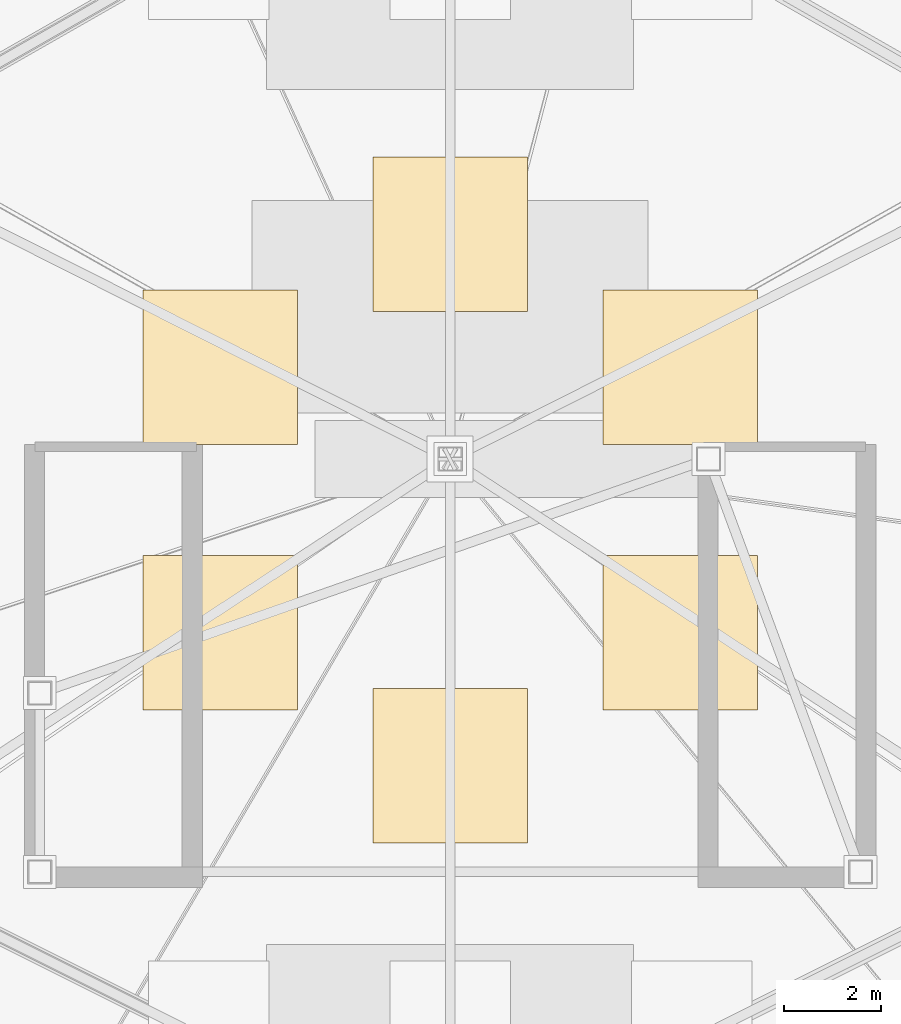
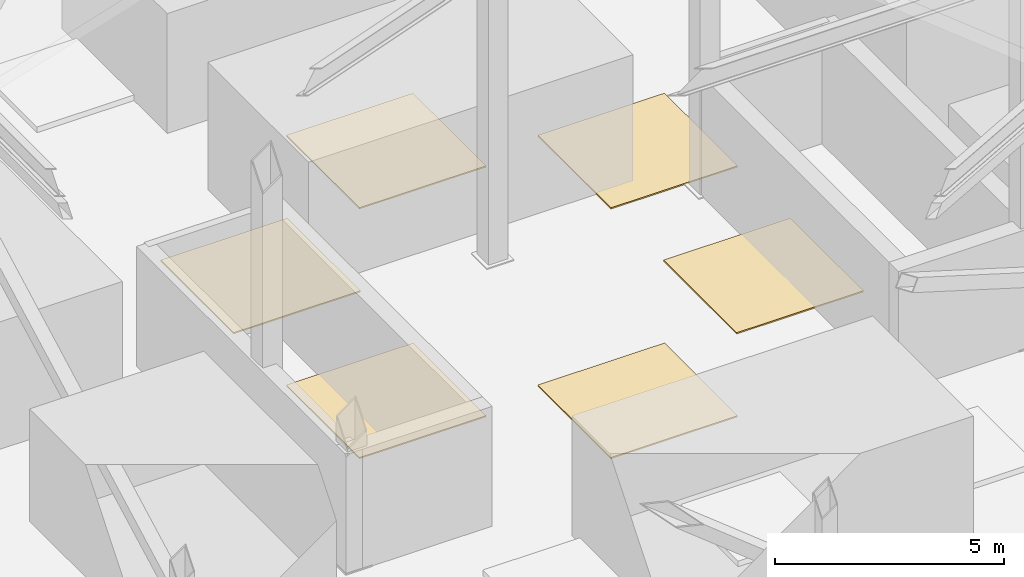
# One storey, part 5 of 6: 6 coverings.
"""IFC4 building model written with IfcOpenShell, lengths in metres."""

import ifcopenshell
import ifcopenshell.guid

model = None  # the IFC model being written
_history = None  # IfcOwnerHistory: only IFC2X3 demands one
_inside = {}  # id of a spatial element -> (the spatial element, [elements in it])
_under = {}  # id of a project, library or spatial element -> (it, [spatial elements below it])
_declared = {}  # id of a project -> (the project, [libraries it declares])
_typed = {}  # id of a type object -> (the type object, [elements of that type])
_made_of = {}  # id of a material, layer set ... -> (it, [elements and type objects made of it])


def new_model(schema):
    """Start an empty IFC model of exactly this schema.

    Asked for "IFC4X3", IfcOpenShell would pick the latest addendum, in which some entities
    have other attributes; the version numbers below select the first issue.
    IFC2X3 requires an IfcOwnerHistory on every rooted entity: one is made here for all.
    """
    global model, _history
    if schema == "IFC4X3":
        model = ifcopenshell.file(schema_version=(4, 3, 0, 0))
    else:
        model = ifcopenshell.file(schema=schema)
    _inside.clear()
    _under.clear()
    _declared.clear()
    _typed.clear()
    _made_of.clear()
    _history = None
    if model.schema == "IFC2X3":
        org = make("IfcOrganization", Name="unknown")
        user = make(
            "IfcPersonAndOrganization",
            ThePerson=make("IfcPerson", FamilyName="unknown"),
            TheOrganization=org,
        )
        app = make(
            "IfcApplication",
            ApplicationDeveloper=org,
            Version="unknown",
            ApplicationFullName="unknown",
            ApplicationIdentifier="unknown",
        )
        _history = make(
            "IfcOwnerHistory",
            OwningUser=user,
            OwningApplication=app,
            ChangeAction="ADDED",
            CreationDate=0,
        )
    return model


def make(cls, **values):
    """One entity of the class cls with the attributes given. An attribute that is None is left unset."""
    return model.create_entity(
        cls, **{name: value for name, value in values.items() if value is not None}
    )


def rooted(cls, **values):
    """An entity with a GlobalId (a new one), such as an element, a storey or a relation."""
    return make(cls, GlobalId=ifcopenshell.guid.new(), OwnerHistory=_history, **values)


def si_unit(unit_type, name, prefix=None):
    """IfcSIUnit, for example si_unit("LENGTHUNIT", "METRE", prefix="MILLI")."""
    return make("IfcSIUnit", UnitType=unit_type, Prefix=prefix, Name=name)


def assignment(units):
    """IfcUnitAssignment: the units of a project."""
    return None if units is None else make("IfcUnitAssignment", Units=units)


def point(xyz):
    """IfcCartesianPoint."""
    return None if xyz is None else make("IfcCartesianPoint", Coordinates=xyz)


def direction(xyz):
    """IfcDirection."""
    return None if xyz is None else make("IfcDirection", DirectionRatios=xyz)


def frame(location, z_axis=None, x_axis=None):
    """IfcAxis2Placement3D, a coordinate frame: its origin and axes. An axis left out is left unset."""
    return make(
        "IfcAxis2Placement3D",
        Location=point(location),
        Axis=direction(z_axis),
        RefDirection=direction(x_axis),
    )


def origin():
    """The frame at (0, 0, 0) with its axes left unset."""
    return frame((0.0, 0.0, 0.0))


def place(relative_to, where):
    """IfcLocalPlacement: puts the frame where relative to a parent placement (None: the world)."""
    return make(
        "IfcLocalPlacement", PlacementRelTo=relative_to, RelativePlacement=where
    )


def context(
    kind, dimensions, precision=None, world=None, true_north=None, identifier=None
):
    """IfcGeometricRepresentationContext, for example the 3D "Model" context."""
    return make(
        "IfcGeometricRepresentationContext",
        ContextIdentifier=identifier,
        ContextType=kind,
        CoordinateSpaceDimension=dimensions,
        Precision=precision,
        WorldCoordinateSystem=world,
        TrueNorth=true_north,
    )


def subcontext(parent, identifier, kind, view, scale=None):
    """IfcGeometricRepresentationSubContext, for example "Body" below "Model"."""
    return make(
        "IfcGeometricRepresentationSubContext",
        ContextIdentifier=identifier,
        ContextType=kind,
        ParentContext=parent,
        TargetScale=scale,
        TargetView=view,
    )


def project(units=None, contexts=None):
    """IfcProject with its units and contexts."""
    return rooted(
        "IfcProject",
        Name="project",
        RepresentationContexts=contexts,
        UnitsInContext=assignment(units),
    )


def spatial(cls, under=None, at=None, **own):
    """A site, building, storey or space (cls), placed at a placement, below another one or the project."""
    s = rooted(cls, ObjectPlacement=at, **own)
    if under is not None:
        _under.setdefault(under.id(), (under, []))[1].append(s)
    return s


def polyline(points):
    """IfcPolyline through the points."""
    return make("IfcPolyline", Points=[point(p) for p in points])


def outline(outer, holes=None, kind="AREA"):
    """IfcArbitraryClosedProfileDef: a profile drawn as a closed curve; with holes, ...WithVoids."""
    if holes is None:
        return make("IfcArbitraryClosedProfileDef", ProfileType=kind, OuterCurve=outer)
    return make(
        "IfcArbitraryProfileDefWithVoids",
        ProfileType=kind,
        OuterCurve=outer,
        InnerCurves=holes,
    )


def extrude(swept, where, along, depth):
    """IfcExtrudedAreaSolid: the profile swept, set in the frame where, extruded along a direction by depth."""
    return make(
        "IfcExtrudedAreaSolid",
        SweptArea=swept,
        Position=where,
        ExtrudedDirection=direction(along),
        Depth=depth,
    )


def shape(context_of_items, identifier, shape_type, items):
    """IfcShapeRepresentation: the items that make up one representation, for example the "Body"."""
    return make(
        "IfcShapeRepresentation",
        ContextOfItems=context_of_items,
        RepresentationIdentifier=identifier,
        RepresentationType=shape_type,
        Items=items,
    )


def material(Name=None, Category=None):
    """IfcMaterial."""
    return make("IfcMaterial", Name=Name, Category=Category)


def layer(
    of_material, thickness, ventilated=None, Name=None, Category=None, Priority=None
):
    """IfcMaterialLayer: one layer of a wall or slab, of a material (None: an air gap)."""
    return make(
        "IfcMaterialLayer",
        Material=of_material,
        LayerThickness=thickness,
        IsVentilated=ventilated,
        Name=Name,
        Category=Category,
        Priority=Priority,
    )


def layer_set(layers, Name=None):
    """IfcMaterialLayerSet."""
    return make("IfcMaterialLayerSet", MaterialLayers=layers, LayerSetName=Name)


def made_of(thing, what):
    """Note that an element or type object is made of a material, layer set ...; save() writes the relation."""
    if what is not None:
        _made_of.setdefault(what.id(), (what, []))[1].append(thing)
    return thing


def type_object(cls, material=None, **own):
    """A type object (cls), such as IfcWallType, which elements share."""
    return made_of(rooted(cls, **own), material)


def element(
    cls,
    number,
    at=None,
    inside=None,
    cuts=None,
    type_object=None,
    material=None,
    context=None,
    identifier="Body",
    shape_type=None,
    held_by="IfcProductDefinitionShape",
    body=None,
    shapes=None,
    **own,
):
    """One element of the class cls, such as IfcWall. Its Tag is "e" and its number.

    at: its placement. inside: the storey or other place that contains it. cuts: it is an
    opening in that element (IfcRelVoidsElement). A single representation is given by context,
    identifier, shape_type and body (its items); several are given by shapes. held_by: the class
    of the entity that holds the representations. save() writes the other relations.
    """
    e = rooted(cls, Tag="e%d" % number, ObjectPlacement=at, **own)
    if body is not None:
        shapes = [shape(context, identifier, shape_type, body)]
    if shapes is not None:
        e.Representation = make(held_by, Representations=shapes)
    if inside is not None:
        _inside.setdefault(inside.id(), (inside, []))[1].append(e)
    if cuts is not None:
        rooted(
            "IfcRelVoidsElement", RelatingBuildingElement=cuts, RelatedOpeningElement=e
        )
    if type_object is not None:
        _typed.setdefault(type_object.id(), (type_object, []))[1].append(e)
    return made_of(e, material)


def aggregate(whole, parts):
    """IfcRelAggregates: a whole, such as a stair, and the parts it consists of."""
    return rooted("IfcRelAggregates", RelatingObject=whole, RelatedObjects=parts)


def save(model, path):
    """Write the relations noted so far, then the file.

    IfcRelAggregates (storeys below a building ...), IfcRelContainedInSpatialStructure (elements
    in a storey), IfcRelDefinesByType, IfcRelAssociatesMaterial and IfcRelDeclares: one each for
    every whole, place, type object, material and project.
    """
    for whole, parts in _under.values():
        aggregate(whole, parts)
    for where, things in _inside.values():
        rooted(
            "IfcRelContainedInSpatialStructure",
            RelatedElements=things,
            RelatingStructure=where,
        )
    for kind, things in _typed.values():
        rooted("IfcRelDefinesByType", RelatedObjects=things, RelatingType=kind)
    for what, things in _made_of.values():
        rooted("IfcRelAssociatesMaterial", RelatedObjects=things, RelatingMaterial=what)
    for by, libraries in _declared.values():
        rooted("IfcRelDeclares", RelatingContext=by, RelatedDefinitions=libraries)
    model.write(path)


model = new_model("IFC4")

# Units and contexts
model_context = context("Model", 3, precision=1e-05, world=origin(), true_north=direction((0.0, 1.0)))
body_context = subcontext(model_context, "Body", "Model", "MODEL_VIEW")
ifc_project = project(units=[si_unit("LENGTHUNIT", "METRE"), si_unit("AREAUNIT", "SQUARE_METRE"), si_unit("VOLUMEUNIT", "CUBIC_METRE"), si_unit("PLANEANGLEUNIT", "RADIAN"), si_unit("MASSUNIT", "GRAM", prefix="KILO")], contexts=[model_context])

# Site, building, storey
site_placement = place(None, origin())
site = spatial("IfcSite", under=ifc_project, at=site_placement, CompositionType="ELEMENT")
building_placement = place(site_placement, origin())
building = spatial("IfcBuilding", under=site, at=building_placement, Name="Miruveldt Soraemaru", CompositionType="ELEMENT")
storey_placement = place(building_placement, frame((0.0, 0.0, 318.0)))
storey = spatial("IfcBuildingStorey", under=building, at=storey_placement, Name="RF", CompositionType="ELEMENT", Elevation=318.0)

# Coverings
ifc_material = material(Name="Standing-seam titanium-zinc sheet", Category="aluminium")
ifc_layer = layer(ifc_material, 0.034912109375, Name="Standing-seam titanium-zinc sheet", Category="aluminium")
ifc_layer_set = layer_set([ifc_layer], Name="Standing-seam titanium-zinc sheet")
covering_type = type_object("IfcCoveringType", Name="COV-ROOF-ZINC", PredefinedType="ROOFING", material=ifc_layer_set)
covering_1_placement = place(storey_placement, origin())
element("IfcCovering", 1, at=covering_1_placement, inside=storey, type_object=covering_type, Name="RF Standing-Seam Zinc Roof Covering 1", PredefinedType="ROOFING", context=body_context, shape_type="SweptSolid", body=[
    extrude(outline(polyline([(47.1630859375, 44.35009765625), (50.363037109375, 44.35009765625), (50.363037109375, 47.550048828125), (47.1630859375, 47.550048828125), (47.1630859375, 44.35009765625)])), origin(), (0.0, 0.0, 1.0), 0.034912109375),
])
covering_2_placement = place(storey_placement, origin())
element("IfcCovering", 2, at=covering_2_placement, inside=storey, type_object=covering_type, Name="RF Standing-Seam Zinc Roof Covering 2", PredefinedType="ROOFING", context=body_context, shape_type="SweptSolid", body=[
    extrude(outline(polyline([(42.39990234375, 47.10009765625), (45.60009765625, 47.10009765625), (45.60009765625, 50.300048828125), (42.39990234375, 50.300048828125), (42.39990234375, 47.10009765625)])), origin(), (0.0, 0.0, 1.0), 0.034912109375),
])
covering_3_placement = place(storey_placement, origin())
element("IfcCovering", 3, at=covering_3_placement, inside=storey, type_object=covering_type, Name="RF Standing-Seam Zinc Roof Covering 3", PredefinedType="ROOFING", context=body_context, shape_type="SweptSolid", body=[
    extrude(outline(polyline([(37.636962890625, 44.35009765625), (40.8369140625, 44.35009765625), (40.8369140625, 47.550048828125), (37.636962890625, 47.550048828125), (37.636962890625, 44.35009765625)])), origin(), (0.0, 0.0, 1.0), 0.034912109375),
])
covering_4_placement = place(storey_placement, origin())
element("IfcCovering", 4, at=covering_4_placement, inside=storey, type_object=covering_type, Name="RF Standing-Seam Zinc Roof Covering 4", PredefinedType="ROOFING", context=body_context, shape_type="SweptSolid", body=[
    extrude(outline(polyline([(37.636962890625, 38.85009765625), (40.8369140625, 38.85009765625), (40.8369140625, 42.050048828125), (37.636962890625, 42.050048828125), (37.636962890625, 38.85009765625)])), origin(), (0.0, 0.0, 1.0), 0.034912109375),
])
covering_5_placement = place(storey_placement, origin())
element("IfcCovering", 5, at=covering_5_placement, inside=storey, type_object=covering_type, Name="RF Standing-Seam Zinc Roof Covering 5", PredefinedType="ROOFING", context=body_context, shape_type="SweptSolid", body=[
    extrude(outline(polyline([(42.39990234375, 36.10009765625), (45.60009765625, 36.10009765625), (45.60009765625, 39.300048828125), (42.39990234375, 39.300048828125), (42.39990234375, 36.10009765625)])), origin(), (0.0, 0.0, 1.0), 0.034912109375),
])
covering_6_placement = place(storey_placement, origin())
element("IfcCovering", 6, at=covering_6_placement, inside=storey, type_object=covering_type, Name="RF Standing-Seam Zinc Roof Covering 6", PredefinedType="ROOFING", context=body_context, shape_type="SweptSolid", body=[
    extrude(outline(polyline([(47.1630859375, 38.85009765625), (50.363037109375, 38.85009765625), (50.363037109375, 42.050048828125), (47.1630859375, 42.050048828125), (47.1630859375, 38.85009765625)])), origin(), (0.0, 0.0, 1.0), 0.034912109375),
])

save(model, "model.ifc")
